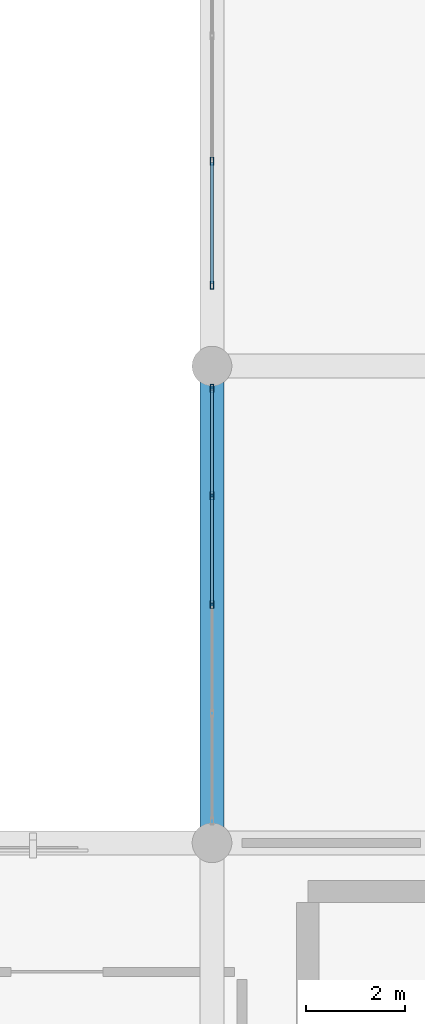
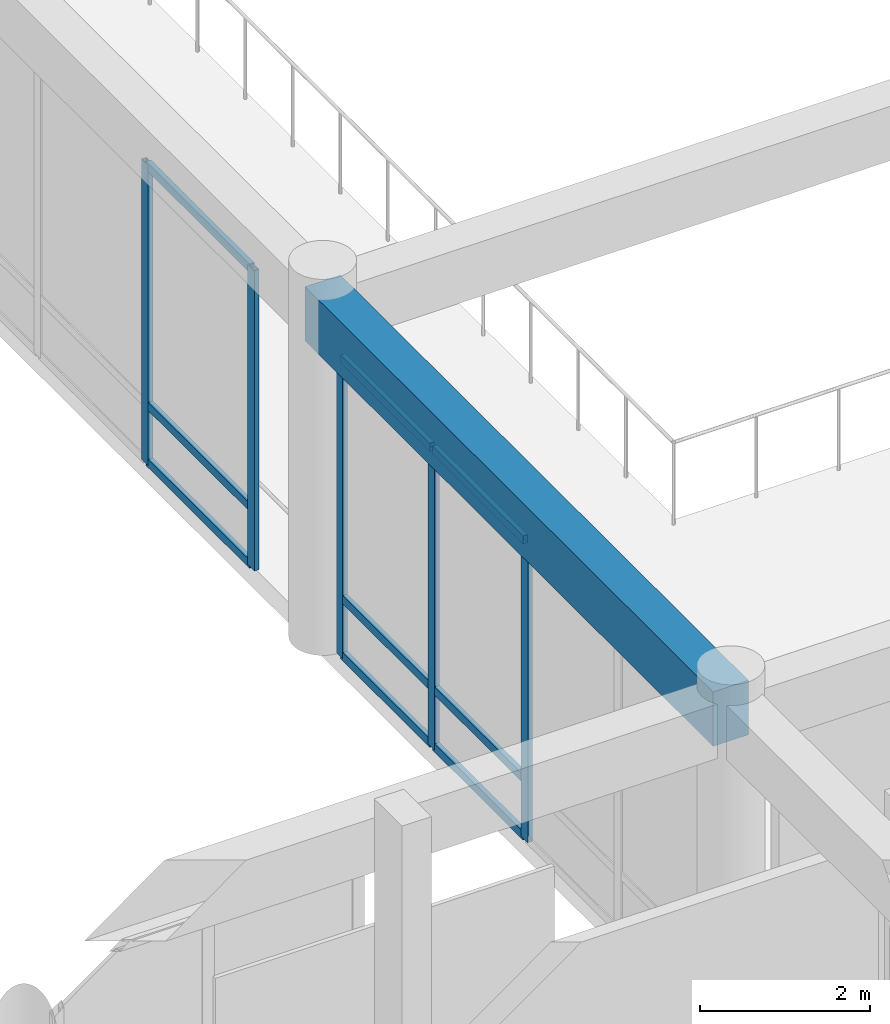
# One storey, part 35 of 134: 14 members, 1 beam, 2 elements without a shape of their own.
"""IFC4 building model written with IfcOpenShell, lengths in metres."""

from ifc_helpers import new_model, si_unit, direction, frame, origin, origin_2d, place, context, subcontext, project, spatial, rectangle, hollow_rectangle, extrude, material, layer, layer_set, material_profile, profile_set, type_object, element, aggregate, save


model = new_model("IFC4")

# Units and contexts
model_context = context("Model", 3, precision=1e-05, world=origin(), true_north=direction((0.0, 1.0)))
body_context = subcontext(model_context, "Body", "Model", "MODEL_VIEW")
ifc_project = project(units=[si_unit("LENGTHUNIT", "METRE"), si_unit("AREAUNIT", "SQUARE_METRE"), si_unit("VOLUMEUNIT", "CUBIC_METRE"), si_unit("PLANEANGLEUNIT", "RADIAN"), si_unit("MASSUNIT", "GRAM", prefix="KILO")], contexts=[model_context])

# Site, building, storey
site_placement = place(None, origin())
site = spatial("IfcSite", under=ifc_project, at=site_placement, CompositionType="ELEMENT")
building_placement = place(site_placement, origin())
building = spatial("IfcBuilding", under=site, at=building_placement, Name="Nakhvara Creek Congress Hotel", CompositionType="ELEMENT")
storey_placement = place(building_placement, frame((0.0, 0.0, 6.0)))
storey = spatial("IfcBuildingStorey", under=building, at=storey_placement, Name="L01", CompositionType="ELEMENT", Elevation=6.0)

# Beam
ifc_material_1 = material(Name="Concrete C40/50", Category="concrete")
ifc_material_profile_1 = material_profile(ifc_material_1, rectangle(XDim=0.47998046875, YDim=0.780029296875, at=origin_2d()), Name="RC-BM 480x780", Category="LoadBearing")
ifc_profile_set_1 = profile_set([ifc_material_profile_1], Name="Concrete C40/50")
beam_type = type_object("IfcBeamType", Name="BM-RC-480X780", PredefinedType="BEAM", material=ifc_profile_set_1)
beam_placement = place(storey_placement, frame((124.800048828125, 43.199951171875, 4.7099609375), z_axis=(0.0, 1.0, 0.0), x_axis=(-1.0, 0.0, 0.0)))
element("IfcBeam", 1, at=beam_placement, inside=storey, type_object=beam_type, Name="Beam B13-L01-1226", PredefinedType="BEAM", context=body_context, shape_type="SweptSolid", body=[
    extrude(rectangle(XDim=0.47998046875, YDim=0.780029296875, at=origin_2d()), origin(), (0.0, 0.0, 1.0), 9.60009765625),
])

# Curtain wall, members
ifc_material_2 = material(Name="Bronze-anodised aluminium AW-6063-T6 and double-silver low-E glass", Category="aluminium")
ifc_layer = layer(ifc_material_2, 0.199951171875)
ifc_layer_set = layer_set([ifc_layer], Name="Bronze-anodised aluminium AW-6063-T6 and double-silver low-E glass")
curtain_wall_type = type_object("IfcCurtainWallType", Name="CW-POD-STICK", PredefinedType="NOTDEFINED", material=ifc_layer_set)
curtain_wall_1_placement = place(storey_placement, origin())
curtain_wall_1 = element("IfcCurtainWall", 2, at=curtain_wall_1_placement, inside=storey, type_object=curtain_wall_type, Name="Curtain Wall CW028", PredefinedType="NOTDEFINED")
ifc_material_3 = material(Name="Bronze-anodised aluminium AW-6063-T6", Category="aluminium")
ifc_material_profile_2 = material_profile(ifc_material_3, hollow_rectangle(XDim=0.06494140625, YDim=0.159912109375, WallThickness=0.00390625, at=origin_2d()), Name="ALU-MULL 65x160x4", Category="LoadBearing")
ifc_profile_set_2 = profile_set([ifc_material_profile_2], Name="Bronze-anodised aluminium AW-6063-T6")
member_type_1 = type_object("IfcMemberType", Name="CW-MULL-160", PredefinedType="MULLION", material=ifc_profile_set_2)
member_1_placement = place(storey_placement, frame((124.800048828125, 48.0, 0.0), z_axis=(0.0, 0.0, 1.0), x_axis=(-1.0, 0.0, 0.0)))
member_1 = element("IfcMember", 3, at=member_1_placement, type_object=member_type_1, Name="CW028 mullion 3", PredefinedType="MULLION", context=body_context, shape_type="SweptSolid", body=[
    extrude(hollow_rectangle(XDim=0.06494140625, YDim=0.159912109375, WallThickness=0.00390625, at=origin_2d()), origin(), (0.0, 0.0, 1.0), 4.31201171875),
])
member_2_placement = place(storey_placement, frame((124.800048828125, 50.1923828125, 0.0), z_axis=(0.0, 0.0, 1.0), x_axis=(-1.0, 0.0, 0.0)))
member_2 = element("IfcMember", 4, at=member_2_placement, type_object=member_type_1, Name="CW028 mullion 4", PredefinedType="MULLION", context=body_context, shape_type="SweptSolid", body=[
    extrude(hollow_rectangle(XDim=0.06494140625, YDim=0.159912109375, WallThickness=0.00390625, at=origin_2d()), origin(), (0.0, 0.0, 1.0), 4.31201171875),
])
member_3_placement = place(storey_placement, frame((124.800048828125, 52.3525390625, 0.0), z_axis=(0.0, 0.0, 1.0), x_axis=(-1.0, 0.0, 0.0)))
member_3 = element("IfcMember", 5, at=member_3_placement, type_object=member_type_1, Name="CW028 mullion 5", PredefinedType="MULLION", context=body_context, shape_type="SweptSolid", body=[
    extrude(hollow_rectangle(XDim=0.06494140625, YDim=0.159912109375, WallThickness=0.00390625, at=origin_2d()), origin(), (0.0, 0.0, 1.0), 4.31201171875),
])

curtain_wall_2_placement = place(storey_placement, origin())
curtain_wall_2 = element("IfcCurtainWall", 6, at=curtain_wall_2_placement, inside=storey, type_object=curtain_wall_type, Name="Curtain Wall CW030", PredefinedType="NOTDEFINED")
member_4_placement = place(storey_placement, frame((124.800048828125, 54.4326171875, 0.0), z_axis=(0.0, 0.0, 1.0), x_axis=(-1.0, 0.0, 0.0)))
member_4 = element("IfcMember", 7, at=member_4_placement, type_object=member_type_1, Name="CW030 mullion 1", PredefinedType="MULLION", context=body_context, shape_type="SweptSolid", body=[
    extrude(hollow_rectangle(XDim=0.06494140625, YDim=0.159912109375, WallThickness=0.00390625, at=origin_2d()), origin(), (0.0, 0.0, 1.0), 4.31201171875),
])
member_5_placement = place(storey_placement, frame((124.800048828125, 56.92822265625, 0.0), z_axis=(0.0, 0.0, 1.0), x_axis=(-1.0, 0.0, 0.0)))
member_5 = element("IfcMember", 8, at=member_5_placement, type_object=member_type_1, Name="CW030 mullion 2", PredefinedType="MULLION", context=body_context, shape_type="SweptSolid", body=[
    extrude(hollow_rectangle(XDim=0.06494140625, YDim=0.159912109375, WallThickness=0.00390625, at=origin_2d()), origin(), (0.0, 0.0, 1.0), 4.31201171875),
])

# Member
ifc_material_profile_3 = material_profile(ifc_material_3, hollow_rectangle(XDim=0.06494140625, YDim=0.1201171875, WallThickness=0.00390625, at=origin_2d()), Name="ALU-TRAN 65x120x4", Category="LoadBearing")
ifc_profile_set_3 = profile_set([ifc_material_profile_3], Name="Bronze-anodised aluminium AW-6063-T6")
member_type_2 = type_object("IfcMemberType", Name="CW-TRAN-120", PredefinedType="USERDEFINED", material=ifc_profile_set_3)
member_6_placement = place(storey_placement, frame((124.800048828125, 48.032470703125, 0.032470703125), z_axis=(0.0, 1.0, 0.0), x_axis=(-1.0, 0.0, 0.0)))
member_6 = element("IfcMember", 9, at=member_6_placement, type_object=member_type_2, Name="CW028 transom 3.1", ObjectType="TRANSOM", PredefinedType="USERDEFINED", context=body_context, shape_type="SweptSolid", body=[
    extrude(hollow_rectangle(XDim=0.06494140625, YDim=0.1201171875, WallThickness=0.00390625, at=origin_2d()), origin(), (0.0, 0.0, 1.0), 2.12744140625),
])

member_7_placement = place(storey_placement, frame((124.800048828125, 48.032470703125, 0.85009765625), z_axis=(0.0, 1.0, 0.0), x_axis=(-1.0, 0.0, 0.0)))
member_7 = element("IfcMember", 10, at=member_7_placement, type_object=member_type_2, Name="CW028 transom 3.2", ObjectType="TRANSOM", PredefinedType="USERDEFINED", context=body_context, shape_type="SweptSolid", body=[
    extrude(hollow_rectangle(XDim=0.06494140625, YDim=0.1201171875, WallThickness=0.00390625, at=origin_2d()), origin(), (0.0, 0.0, 1.0), 2.12744140625),
])

member_8_placement = place(storey_placement, frame((124.800048828125, 48.032470703125, 4.279541015625), z_axis=(0.0, 1.0, 0.0), x_axis=(-1.0, 0.0, 0.0)))
member_8 = element("IfcMember", 11, at=member_8_placement, type_object=member_type_2, Name="CW028 transom 3.3", ObjectType="TRANSOM", PredefinedType="USERDEFINED", context=body_context, shape_type="SweptSolid", body=[
    extrude(hollow_rectangle(XDim=0.06494140625, YDim=0.1201171875, WallThickness=0.00390625, at=origin_2d()), origin(), (0.0, 0.0, 1.0), 2.12744140625),
])

member_9_placement = place(storey_placement, frame((124.800048828125, 50.22509765625, 0.032470703125), z_axis=(0.0, 1.0, 0.0), x_axis=(-1.0, 0.0, 0.0)))
member_9 = element("IfcMember", 12, at=member_9_placement, type_object=member_type_2, Name="CW028 transom 4.1", ObjectType="TRANSOM", PredefinedType="USERDEFINED", context=body_context, shape_type="SweptSolid", body=[
    extrude(hollow_rectangle(XDim=0.06494140625, YDim=0.1201171875, WallThickness=0.00390625, at=origin_2d()), origin(), (0.0, 0.0, 1.0), 2.094970703125),
])

member_10_placement = place(storey_placement, frame((124.800048828125, 50.22509765625, 0.85009765625), z_axis=(0.0, 1.0, 0.0), x_axis=(-1.0, 0.0, 0.0)))
member_10 = element("IfcMember", 13, at=member_10_placement, type_object=member_type_2, Name="CW028 transom 4.2", ObjectType="TRANSOM", PredefinedType="USERDEFINED", context=body_context, shape_type="SweptSolid", body=[
    extrude(hollow_rectangle(XDim=0.06494140625, YDim=0.1201171875, WallThickness=0.00390625, at=origin_2d()), origin(), (0.0, 0.0, 1.0), 2.094970703125),
])

member_11_placement = place(storey_placement, frame((124.800048828125, 50.22509765625, 4.279541015625), z_axis=(0.0, 1.0, 0.0), x_axis=(-1.0, 0.0, 0.0)))
member_11 = element("IfcMember", 14, at=member_11_placement, type_object=member_type_2, Name="CW028 transom 4.3", ObjectType="TRANSOM", PredefinedType="USERDEFINED", context=body_context, shape_type="SweptSolid", body=[
    extrude(hollow_rectangle(XDim=0.06494140625, YDim=0.1201171875, WallThickness=0.00390625, at=origin_2d()), origin(), (0.0, 0.0, 1.0), 2.094970703125),
])

aggregate(curtain_wall_1, [member_1, member_2, member_3, member_6, member_7, member_8, member_9, member_10, member_11])

member_12_placement = place(storey_placement, frame((124.800048828125, 54.465087890625, 0.032470703125), z_axis=(0.0, 1.0, 0.0), x_axis=(-1.0, 0.0, 0.0)))
member_12 = element("IfcMember", 15, at=member_12_placement, type_object=member_type_2, Name="CW030 transom 1.1", ObjectType="TRANSOM", PredefinedType="USERDEFINED", context=body_context, shape_type="SweptSolid", body=[
    extrude(hollow_rectangle(XDim=0.06494140625, YDim=0.1201171875, WallThickness=0.00390625, at=origin_2d()), origin(), (0.0, 0.0, 1.0), 2.4306640625),
])

member_13_placement = place(storey_placement, frame((124.800048828125, 54.465087890625, 0.85009765625), z_axis=(0.0, 1.0, 0.0), x_axis=(-1.0, 0.0, 0.0)))
member_13 = element("IfcMember", 16, at=member_13_placement, type_object=member_type_2, Name="CW030 transom 1.2", ObjectType="TRANSOM", PredefinedType="USERDEFINED", context=body_context, shape_type="SweptSolid", body=[
    extrude(hollow_rectangle(XDim=0.06494140625, YDim=0.1201171875, WallThickness=0.00390625, at=origin_2d()), origin(), (0.0, 0.0, 1.0), 2.4306640625),
])

member_14_placement = place(storey_placement, frame((124.800048828125, 54.465087890625, 4.279541015625), z_axis=(0.0, 1.0, 0.0), x_axis=(-1.0, 0.0, 0.0)))
member_14 = element("IfcMember", 17, at=member_14_placement, type_object=member_type_2, Name="CW030 transom 1.3", ObjectType="TRANSOM", PredefinedType="USERDEFINED", context=body_context, shape_type="SweptSolid", body=[
    extrude(hollow_rectangle(XDim=0.06494140625, YDim=0.1201171875, WallThickness=0.00390625, at=origin_2d()), origin(), (0.0, 0.0, 1.0), 2.4306640625),
])

aggregate(curtain_wall_2, [member_4, member_5, member_12, member_13, member_14])

save(model, "model.ifc")
